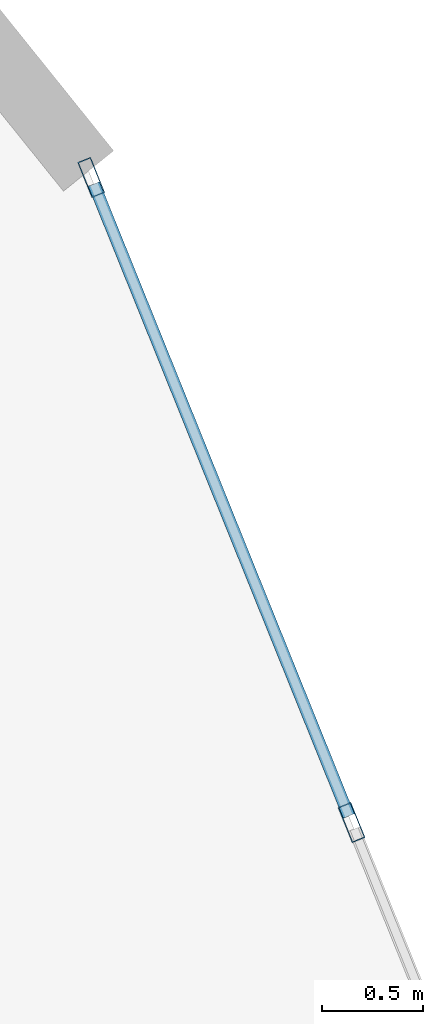
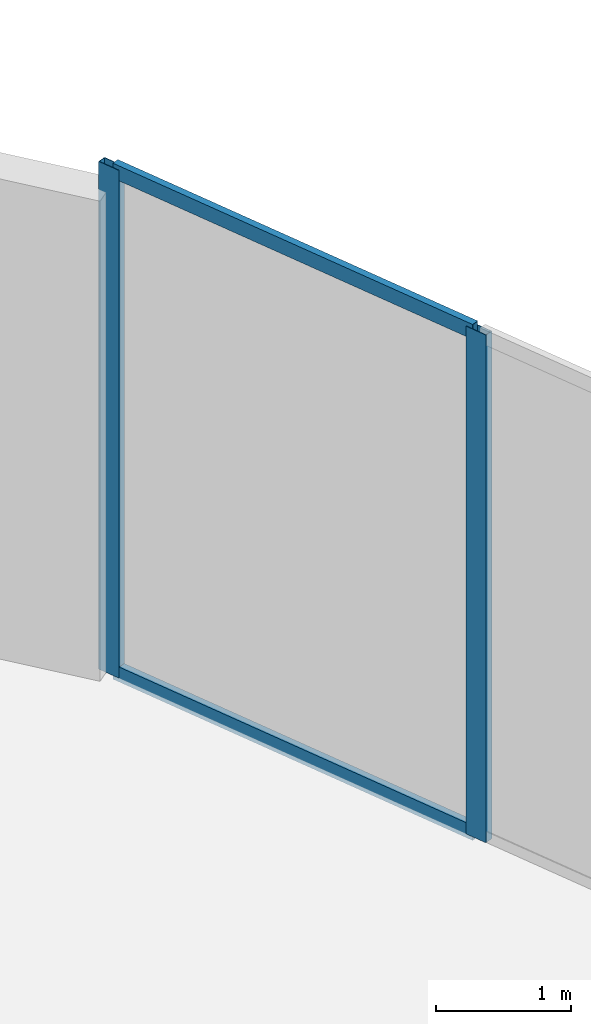
# One storey, part 17 of 28: 4 members, 1 element without a shape of its own.
"""IFC4 building model written with IfcOpenShell, lengths in metres."""

import ifcopenshell
import ifcopenshell.guid

model = None  # the IFC model being written
_history = None  # IfcOwnerHistory: only IFC2X3 demands one
_inside = {}  # id of a spatial element -> (the spatial element, [elements in it])
_under = {}  # id of a project, library or spatial element -> (it, [spatial elements below it])
_declared = {}  # id of a project -> (the project, [libraries it declares])
_typed = {}  # id of a type object -> (the type object, [elements of that type])
_made_of = {}  # id of a material, layer set ... -> (it, [elements and type objects made of it])


def new_model(schema):
    """Start an empty IFC model of exactly this schema.

    Asked for "IFC4X3", IfcOpenShell would pick the latest addendum, in which some entities
    have other attributes; the version numbers below select the first issue.
    IFC2X3 requires an IfcOwnerHistory on every rooted entity: one is made here for all.
    """
    global model, _history
    if schema == "IFC4X3":
        model = ifcopenshell.file(schema_version=(4, 3, 0, 0))
    else:
        model = ifcopenshell.file(schema=schema)
    _inside.clear()
    _under.clear()
    _declared.clear()
    _typed.clear()
    _made_of.clear()
    _history = None
    if model.schema == "IFC2X3":
        org = make("IfcOrganization", Name="unknown")
        user = make(
            "IfcPersonAndOrganization",
            ThePerson=make("IfcPerson", FamilyName="unknown"),
            TheOrganization=org,
        )
        app = make(
            "IfcApplication",
            ApplicationDeveloper=org,
            Version="unknown",
            ApplicationFullName="unknown",
            ApplicationIdentifier="unknown",
        )
        _history = make(
            "IfcOwnerHistory",
            OwningUser=user,
            OwningApplication=app,
            ChangeAction="ADDED",
            CreationDate=0,
        )
    return model


def make(cls, **values):
    """One entity of the class cls with the attributes given. An attribute that is None is left unset."""
    return model.create_entity(
        cls, **{name: value for name, value in values.items() if value is not None}
    )


def rooted(cls, **values):
    """An entity with a GlobalId (a new one), such as an element, a storey or a relation."""
    return make(cls, GlobalId=ifcopenshell.guid.new(), OwnerHistory=_history, **values)


def si_unit(unit_type, name, prefix=None):
    """IfcSIUnit, for example si_unit("LENGTHUNIT", "METRE", prefix="MILLI")."""
    return make("IfcSIUnit", UnitType=unit_type, Prefix=prefix, Name=name)


def assignment(units):
    """IfcUnitAssignment: the units of a project."""
    return None if units is None else make("IfcUnitAssignment", Units=units)


def point(xyz):
    """IfcCartesianPoint."""
    return None if xyz is None else make("IfcCartesianPoint", Coordinates=xyz)


def direction(xyz):
    """IfcDirection."""
    return None if xyz is None else make("IfcDirection", DirectionRatios=xyz)


def frame(location, z_axis=None, x_axis=None):
    """IfcAxis2Placement3D, a coordinate frame: its origin and axes. An axis left out is left unset."""
    return make(
        "IfcAxis2Placement3D",
        Location=point(location),
        Axis=direction(z_axis),
        RefDirection=direction(x_axis),
    )


def frame_2d(location, x_axis=None):
    """IfcAxis2Placement2D, a coordinate frame in the plane: its origin and x axis."""
    return make(
        "IfcAxis2Placement2D", Location=point(location), RefDirection=direction(x_axis)
    )


def origin():
    """The frame at (0, 0, 0) with its axes left unset."""
    return frame((0.0, 0.0, 0.0))


def origin_2d():
    """The frame at (0, 0) in the plane with its x axis left unset."""
    return frame_2d((0.0, 0.0))


def place(relative_to, where):
    """IfcLocalPlacement: puts the frame where relative to a parent placement (None: the world)."""
    return make(
        "IfcLocalPlacement", PlacementRelTo=relative_to, RelativePlacement=where
    )


def context(
    kind, dimensions, precision=None, world=None, true_north=None, identifier=None
):
    """IfcGeometricRepresentationContext, for example the 3D "Model" context."""
    return make(
        "IfcGeometricRepresentationContext",
        ContextIdentifier=identifier,
        ContextType=kind,
        CoordinateSpaceDimension=dimensions,
        Precision=precision,
        WorldCoordinateSystem=world,
        TrueNorth=true_north,
    )


def subcontext(parent, identifier, kind, view, scale=None):
    """IfcGeometricRepresentationSubContext, for example "Body" below "Model"."""
    return make(
        "IfcGeometricRepresentationSubContext",
        ContextIdentifier=identifier,
        ContextType=kind,
        ParentContext=parent,
        TargetScale=scale,
        TargetView=view,
    )


def project(units=None, contexts=None):
    """IfcProject with its units and contexts."""
    return rooted(
        "IfcProject",
        Name="project",
        RepresentationContexts=contexts,
        UnitsInContext=assignment(units),
    )


def spatial(cls, under=None, at=None, **own):
    """A site, building, storey or space (cls), placed at a placement, below another one or the project."""
    s = rooted(cls, ObjectPlacement=at, **own)
    if under is not None:
        _under.setdefault(under.id(), (under, []))[1].append(s)
    return s


def profile(cls, at=None, kind="AREA", **sizes):
    """A parametric profile (cls). Its sizes go by their IFC names, for example OverallWidth=200.0."""
    return make(cls, ProfileType=kind, Position=at, **sizes)


def hollow_rectangle(**sizes):
    """IfcRectangleHollowProfileDef."""
    return profile("IfcRectangleHollowProfileDef", **sizes)


def extrude(swept, where, along, depth):
    """IfcExtrudedAreaSolid: the profile swept, set in the frame where, extruded along a direction by depth."""
    return make(
        "IfcExtrudedAreaSolid",
        SweptArea=swept,
        Position=where,
        ExtrudedDirection=direction(along),
        Depth=depth,
    )


def shape(context_of_items, identifier, shape_type, items):
    """IfcShapeRepresentation: the items that make up one representation, for example the "Body"."""
    return make(
        "IfcShapeRepresentation",
        ContextOfItems=context_of_items,
        RepresentationIdentifier=identifier,
        RepresentationType=shape_type,
        Items=items,
    )


def source(mapping_origin, context_of_items, identifier, shape_type, items):
    """IfcRepresentationMap: a shape defined once, which mapped items show again and again."""
    return make(
        "IfcRepresentationMap",
        MappingOrigin=mapping_origin,
        MappedRepresentation=shape(context_of_items, identifier, shape_type, items),
    )


def transform(
    local_origin,
    x_axis=None,
    y_axis=None,
    z_axis=None,
    scale=None,
    scale2=None,
    scale3=None,
    uniform=True,
):
    """IfcCartesianTransformationOperator3D, or its non-uniform kind. x_axis, y_axis, z_axis: its Axis1, 2, 3."""
    if uniform:
        return make(
            "IfcCartesianTransformationOperator3D",
            Axis1=direction(x_axis),
            Axis2=direction(y_axis),
            LocalOrigin=point(local_origin),
            Scale=scale,
            Axis3=direction(z_axis),
        )
    return make(
        "IfcCartesianTransformationOperator3DnonUniform",
        Axis1=direction(x_axis),
        Axis2=direction(y_axis),
        LocalOrigin=point(local_origin),
        Scale=scale,
        Axis3=direction(z_axis),
        Scale2=scale2,
        Scale3=scale3,
    )


def mapped(mapping_source, mapping_target):
    """IfcMappedItem: shows the shape of a source again, moved by a transform."""
    return make(
        "IfcMappedItem", MappingSource=mapping_source, MappingTarget=mapping_target
    )


def material(Name=None, Category=None):
    """IfcMaterial."""
    return make("IfcMaterial", Name=Name, Category=Category)


def layer(
    of_material, thickness, ventilated=None, Name=None, Category=None, Priority=None
):
    """IfcMaterialLayer: one layer of a wall or slab, of a material (None: an air gap)."""
    return make(
        "IfcMaterialLayer",
        Material=of_material,
        LayerThickness=thickness,
        IsVentilated=ventilated,
        Name=Name,
        Category=Category,
        Priority=Priority,
    )


def layer_set(layers, Name=None):
    """IfcMaterialLayerSet."""
    return make("IfcMaterialLayerSet", MaterialLayers=layers, LayerSetName=Name)


def material_profile(
    of_material, cross_section, Name=None, Category=None, Priority=None
):
    """IfcMaterialProfile: a cross section and its material."""
    return make(
        "IfcMaterialProfile",
        Name=Name,
        Material=of_material,
        Profile=cross_section,
        Priority=Priority,
        Category=Category,
    )


def profile_set(profiles, Name=None, composite=None):
    """IfcMaterialProfileSet."""
    return make(
        "IfcMaterialProfileSet",
        Name=Name,
        MaterialProfiles=profiles,
        CompositeProfile=composite,
    )


def made_of(thing, what):
    """Note that an element or type object is made of a material, layer set ...; save() writes the relation."""
    if what is not None:
        _made_of.setdefault(what.id(), (what, []))[1].append(thing)
    return thing


def type_object(cls, material=None, **own):
    """A type object (cls), such as IfcWallType, which elements share."""
    return made_of(rooted(cls, **own), material)


def element(
    cls,
    number,
    at=None,
    inside=None,
    cuts=None,
    type_object=None,
    material=None,
    context=None,
    identifier="Body",
    shape_type=None,
    held_by="IfcProductDefinitionShape",
    body=None,
    shapes=None,
    **own,
):
    """One element of the class cls, such as IfcWall. Its Tag is "e" and its number.

    at: its placement. inside: the storey or other place that contains it. cuts: it is an
    opening in that element (IfcRelVoidsElement). A single representation is given by context,
    identifier, shape_type and body (its items); several are given by shapes. held_by: the class
    of the entity that holds the representations. save() writes the other relations.
    """
    e = rooted(cls, Tag="e%d" % number, ObjectPlacement=at, **own)
    if body is not None:
        shapes = [shape(context, identifier, shape_type, body)]
    if shapes is not None:
        e.Representation = make(held_by, Representations=shapes)
    if inside is not None:
        _inside.setdefault(inside.id(), (inside, []))[1].append(e)
    if cuts is not None:
        rooted(
            "IfcRelVoidsElement", RelatingBuildingElement=cuts, RelatedOpeningElement=e
        )
    if type_object is not None:
        _typed.setdefault(type_object.id(), (type_object, []))[1].append(e)
    return made_of(e, material)


def aggregate(whole, parts):
    """IfcRelAggregates: a whole, such as a stair, and the parts it consists of."""
    return rooted("IfcRelAggregates", RelatingObject=whole, RelatedObjects=parts)


def save(model, path):
    """Write the relations noted so far, then the file.

    IfcRelAggregates (storeys below a building ...), IfcRelContainedInSpatialStructure (elements
    in a storey), IfcRelDefinesByType, IfcRelAssociatesMaterial and IfcRelDeclares: one each for
    every whole, place, type object, material and project.
    """
    for whole, parts in _under.values():
        aggregate(whole, parts)
    for where, things in _inside.values():
        rooted(
            "IfcRelContainedInSpatialStructure",
            RelatedElements=things,
            RelatingStructure=where,
        )
    for kind, things in _typed.values():
        rooted("IfcRelDefinesByType", RelatedObjects=things, RelatingType=kind)
    for what, things in _made_of.values():
        rooted("IfcRelAssociatesMaterial", RelatedObjects=things, RelatingMaterial=what)
    for by, libraries in _declared.values():
        rooted("IfcRelDeclares", RelatingContext=by, RelatedDefinitions=libraries)
    model.write(path)


model = new_model("IFC4")

# Units and contexts
model_context = context("Model", 3, precision=1e-05, world=origin(), true_north=direction((0.0, 1.0)))
body_context = subcontext(model_context, "Body", "Model", "MODEL_VIEW")
ifc_project = project(units=[si_unit("LENGTHUNIT", "METRE"), si_unit("AREAUNIT", "SQUARE_METRE"), si_unit("VOLUMEUNIT", "CUBIC_METRE"), si_unit("PLANEANGLEUNIT", "RADIAN"), si_unit("MASSUNIT", "GRAM", prefix="KILO")], contexts=[model_context])

# Site, building, storey
site_placement = place(None, origin())
site = spatial("IfcSite", under=ifc_project, at=site_placement, CompositionType="ELEMENT")
building_placement = place(site_placement, origin())
building = spatial("IfcBuilding", under=site, at=building_placement, Name="Solvirekh Grand Hotel", CompositionType="ELEMENT")
storey_placement = place(building_placement, frame((0.0, 0.0, 98.0)))
storey = spatial("IfcBuildingStorey", under=building, at=storey_placement, Name="L24", CompositionType="ELEMENT", Elevation=98.0)

# Curtain wall, members
ifc_material = material(Name="Anodized Bronze Aluminium 6063-T6", Category="aluminium")
ifc_layer = layer(ifc_material, 0.18994140625)
ifc_layer_set = layer_set([ifc_layer], Name="Anodized Bronze Aluminium 6063-T6")
curtain_wall_type = type_object("IfcCurtainWallType", Name="CW_Sys5_SkyLobbyPanoramaCW", PredefinedType="NOTDEFINED", material=ifc_layer_set)
curtain_wall_placement = place(storey_placement, origin())
curtain_wall = element("IfcCurtainWall", 1, at=curtain_wall_placement, inside=storey, type_object=curtain_wall_type, Name="L24 unitised bronze-glass curtain wall CW-L24-C03", PredefinedType="NOTDEFINED")
ifc_material_profile_1 = material_profile(ifc_material, hollow_rectangle(XDim=0.070068359375, YDim=0.18994140625, WallThickness=0.0048828125, at=origin_2d()), Name="ALU RHS 190X70X5")
ifc_profile_set_1 = profile_set([ifc_material_profile_1], Name="Anodized Bronze Aluminium 6063-T6")
member_type_1 = type_object("IfcMemberType", Name="CWMullion_Sys5", PredefinedType="MULLION", material=ifc_profile_set_1)
shared_shape_1 = source(origin(), body_context, "Body", "SweptSolid", [
    extrude(hollow_rectangle(XDim=0.070068359375, YDim=0.18994140625, WallThickness=0.0048828125, at=origin_2d()), origin(), (0.0, 0.0, 1.0), 4.60009765625),
])
member_1_placement = place(storey_placement, frame((22.756103515625, 4.47607421875, 0.0), z_axis=(0.0, 0.0, 1.0), x_axis=(-0.927327786327, -0.374250152579, 0.0)))
member_1 = element("IfcMember", 2, at=member_1_placement, type_object=member_type_1, Name="U05 mullion 2", PredefinedType="MULLION", context=body_context, shape_type="MappedRepresentation", body=[
    mapped(shared_shape_1, transform((0.0, 0.0, 0.0), x_axis=(1.0, 0.0, 0.0), y_axis=(0.0, 1.0, 0.0), z_axis=(0.0, 0.0, 1.0), scale=1.0)),
])
member_2_placement = place(storey_placement, frame((21.461181640625, 7.6845703125, 0.0), z_axis=(0.0, 0.0, 1.0), x_axis=(-0.927327786327, -0.374250152579, 0.0)))
member_2 = element("IfcMember", 3, at=member_2_placement, type_object=member_type_1, Name="U05 mullion 3", PredefinedType="MULLION", context=body_context, shape_type="MappedRepresentation", body=[
    mapped(shared_shape_1, transform((0.0, 0.0, 0.0), x_axis=(1.0, 0.0, 0.0), y_axis=(0.0, 1.0, 0.0), z_axis=(0.0, 0.0, 1.0), scale=1.0)),
])
ifc_material_profile_2 = material_profile(ifc_material, hollow_rectangle(XDim=0.06005859375, YDim=0.135009765625, WallThickness=0.00390625, at=origin_2d()), Name="ALU RHS 135X60X4")
ifc_profile_set_2 = profile_set([ifc_material_profile_2], Name="Anodized Bronze Aluminium 6063-T6")
member_type_2 = type_object("IfcMemberType", Name="CWTransom_Sys5", PredefinedType="USERDEFINED", material=ifc_profile_set_2)
shared_shape_2 = source(origin(), body_context, "Body", "SweptSolid", [
    extrude(hollow_rectangle(XDim=0.06005859375, YDim=0.135009765625, WallThickness=0.00390625, at=origin_2d()), origin(), (0.0, 0.0, 1.0), 3.389892578125),
])
member_3_placement = place(storey_placement, frame((22.742919921875, 4.508544921875, 0.030029296875), z_axis=(-0.374282044975, 0.927314914584, 0.0), x_axis=(-0.927314914584, -0.374282044975, 0.0)))
member_3 = element("IfcMember", 4, at=member_3_placement, type_object=member_type_2, Name="U05 transom 2.1", ObjectType="TRANSOM", PredefinedType="USERDEFINED", context=body_context, shape_type="MappedRepresentation", body=[
    mapped(shared_shape_2, transform((0.0, 0.0, 0.0), x_axis=(1.0, 0.0, 0.0), y_axis=(0.0, 1.0, 0.0), z_axis=(0.0, 0.0, 1.0), scale=1.0)),
])
member_4_placement = place(storey_placement, frame((22.742919921875, 4.508544921875, 4.570068359375), z_axis=(-0.374282044975, 0.927314914584, 0.0), x_axis=(-0.927314914584, -0.374282044975, 0.0)))
member_4 = element("IfcMember", 5, at=member_4_placement, type_object=member_type_2, Name="U05 transom 2.2", ObjectType="TRANSOM", PredefinedType="USERDEFINED", context=body_context, shape_type="MappedRepresentation", body=[
    mapped(shared_shape_2, transform((0.0, 0.0, 0.0), x_axis=(1.0, 0.0, 0.0), y_axis=(0.0, 1.0, 0.0), z_axis=(0.0, 0.0, 1.0), scale=1.0)),
])
aggregate(curtain_wall, [member_1, member_2, member_3, member_4])

save(model, "model.ifc")
